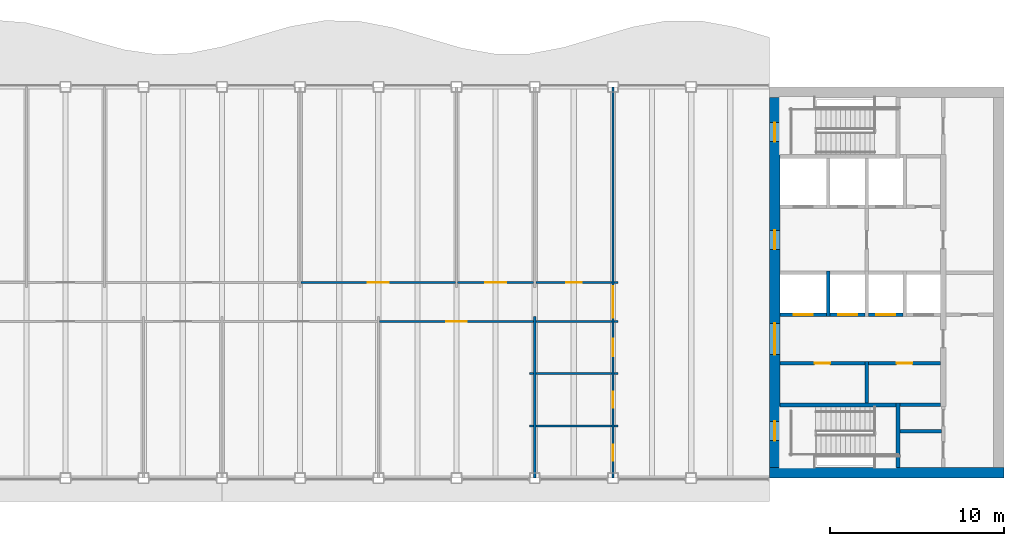
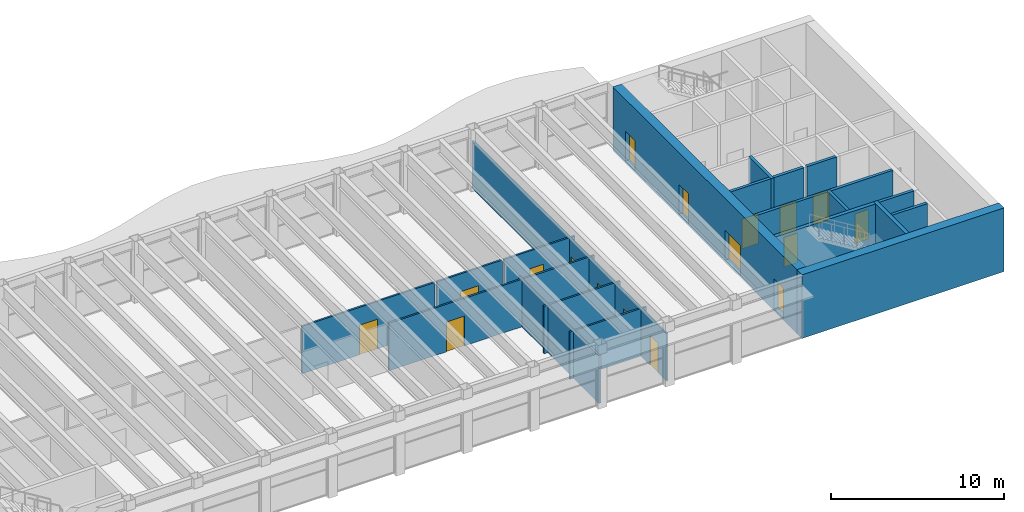
# One storey, part 9 of 14: 28 walls, 17 doors, 17 openings.
"""IFC4 building model written with IfcOpenShell, lengths in metres."""

from ifc_helpers import new_model, si_unit, direction, frame, frame_2d, origin, place, context, subcontext, project, spatial, rectangle, extrude, material, layer, layer_set, type_object, element, fill, save


model = new_model("IFC4")

# Units and contexts
model_context = context("Model", 3, precision=1e-05, world=origin(), true_north=direction((0.0, 1.0)))
body_context = subcontext(model_context, "Body", "Model", "MODEL_VIEW")
ifc_project = project(units=[si_unit("LENGTHUNIT", "METRE"), si_unit("AREAUNIT", "SQUARE_METRE"), si_unit("VOLUMEUNIT", "CUBIC_METRE"), si_unit("PLANEANGLEUNIT", "RADIAN"), si_unit("MASSUNIT", "GRAM", prefix="KILO")], contexts=[model_context])

# Site, building, storey
site_placement = place(None, origin())
site = spatial("IfcSite", under=ifc_project, at=site_placement, CompositionType="ELEMENT")
building_placement = place(site_placement, origin())
building = spatial("IfcBuilding", under=site, at=building_placement, Name="Sennacour Bend Tower", CompositionType="ELEMENT")
storey_placement = place(building_placement, frame((0.0, 0.0, 305.0)))
storey = spatial("IfcBuildingStorey", under=building, at=storey_placement, Name="L70", CompositionType="ELEMENT", Elevation=305.0)

# Wall
ifc_material_1 = material(Name="Concrete C50/60", Category="concrete")
ifc_layer_1 = layer(ifc_material_1, 0.60009765625, Name="Concrete C50/60", Category="concrete")
ifc_layer_set_1 = layer_set([ifc_layer_1], Name="Concrete C50/60")
wall_type_1 = type_object("IfcWallType", Name="Core wall 600 C50/60", PredefinedType="SHEAR", material=ifc_layer_set_1)
wall_1_placement = place(storey_placement, frame((67.5, 0.300048828125, -0.14990234375), z_axis=(0.0, 0.0, 1.0), x_axis=(-1.0, 0.0, 0.0)))
element("IfcWall", 1, at=wall_1_placement, inside=storey, type_object=wall_type_1, Name="Core A wall L70 S", PredefinedType="SHEAR", context=body_context, shape_type="SweptSolid", body=[
    extrude(rectangle(XDim=13.5, YDim=0.60009765625, at=frame_2d((6.75, 0.0))), origin(), (0.0, 0.0, 1.0), 4.5),
])

# Wall, openings, doors
wall_2_placement = place(storey_placement, frame((54.300048828125, 0.60009765625, -0.14990234375), z_axis=(0.0, 0.0, 1.0), x_axis=(0.0, 1.0, 0.0)))
wall_2 = element("IfcWall", 2, at=wall_2_placement, inside=storey, type_object=wall_type_1, Name="Core A wall L70 W", PredefinedType="SHEAR", context=body_context, shape_type="SweptSolid", body=[
    extrude(rectangle(XDim=21.2998046875, YDim=0.60009765625, at=frame_2d((10.64990234375, 0.0))), origin(), (0.0, 0.0, 1.0), 4.5),
])
opening_1_placement = place(wall_2_placement, frame((6.5, 0.0, 0.14990234375)))
opening_1 = element("IfcOpeningElement", 3, at=opening_1_placement, cuts=wall_2, Name="Opening CD", PredefinedType="OPENING", context=body_context, shape_type="SweptSolid", body=[
    extrude(rectangle(XDim=1.800048828125, YDim=2.10009765625, at=frame_2d((0.89990234375, 1.050048828125))), frame((0.0, 0.31005859375, 0.0), z_axis=(0.0, -1.0, 0.0), x_axis=(1.0, 0.0, 0.0)), (0.0, 0.0, 1.0), 0.6201171875),
])
opening_2_placement = place(wall_2_placement, frame((12.550048828125, 0.0, 0.14990234375)))
opening_2 = element("IfcOpeningElement", 4, at=opening_2_placement, cuts=wall_2, Name="Opening FD", PredefinedType="OPENING", context=body_context, shape_type="SweptSolid", body=[
    extrude(rectangle(XDim=1.10009765625, YDim=2.10009765625, at=frame_2d((0.550048828125, 1.050048828125))), frame((0.0, 0.31005859375, 0.0), z_axis=(0.0, -1.0, 0.0), x_axis=(1.0, 0.0, 0.0)), (0.0, 0.0, 1.0), 0.6201171875),
])
opening_3_placement = place(wall_2_placement, frame((1.550048828125, 0.0, 0.14990234375)))
opening_3 = element("IfcOpeningElement", 5, at=opening_3_placement, cuts=wall_2, Name="Opening SD", PredefinedType="OPENING", context=body_context, shape_type="SweptSolid", body=[
    extrude(rectangle(XDim=1.10009765625, YDim=2.10009765625, at=frame_2d((0.550048828125, 1.050048828125))), frame((0.0, 0.31005859375, 0.0), z_axis=(0.0, -1.0, 0.0), x_axis=(1.0, 0.0, 0.0)), (0.0, 0.0, 1.0), 0.6201171875),
])
opening_4_placement = place(wall_2_placement, frame((18.75, 0.0, 0.14990234375)))
opening_4 = element("IfcOpeningElement", 6, at=opening_4_placement, cuts=wall_2, Name="Opening SD", PredefinedType="OPENING", context=body_context, shape_type="SweptSolid", body=[
    extrude(rectangle(XDim=1.10009765625, YDim=2.10009765625, at=frame_2d((0.550048828125, 1.050048828125))), frame((0.0, 0.31005859375, 0.0), z_axis=(0.0, -1.0, 0.0), x_axis=(1.0, 0.0, 0.0)), (0.0, 0.0, 1.0), 0.6201171875),
])
ifc_material_2 = material(Name="Painted steel", Category="steel")
door_type_1 = type_object("IfcDoorType", Name="DR-FFL-1100", OperationType="NOTDEFINED", PredefinedType="DOOR", material=ifc_material_2)
door_1_placement = place(opening_2_placement, origin())
door_1 = element("IfcDoor", 7, at=door_1_placement, inside=storey, type_object=door_type_1, Name="Door", OperationType="SINGLE_SWING_RIGHT", OverallHeight=2.10009765625, OverallWidth=1.10009765625, PredefinedType="DOOR", context=body_context, shape_type="SweptSolid", body=[
    extrude(rectangle(XDim=1.10009765625, YDim=2.10009765625, at=frame_2d((0.550048828125, 1.050048828125))), frame((0.0, 0.02490234375, 0.0), z_axis=(0.0, -1.0, 0.0), x_axis=(1.0, 0.0, 0.0)), (0.0, 0.0, 1.0), 0.050048828125),
])
fill(opening_2, door_1)
door_type_2 = type_object("IfcDoorType", Name="DR-LOBBY-1800", OperationType="NOTDEFINED", PredefinedType="DOOR", material=ifc_material_2)
door_2_placement = place(opening_1_placement, origin())
door_2 = element("IfcDoor", 8, at=door_2_placement, inside=storey, type_object=door_type_2, Name="Door", OperationType="DOUBLE_DOOR_SINGLE_SWING", OverallHeight=2.10009765625, OverallWidth=1.800048828125, PredefinedType="DOOR", context=body_context, shape_type="SweptSolid", body=[
    extrude(rectangle(XDim=1.800048828125, YDim=2.10009765625, at=frame_2d((0.89990234375, 1.050048828125))), frame((0.0, 0.02490234375, 0.0), z_axis=(0.0, -1.0, 0.0), x_axis=(1.0, 0.0, 0.0)), (0.0, 0.0, 1.0), 0.050048828125),
])
fill(opening_1, door_2)
door_type_3 = type_object("IfcDoorType", Name="DR-STAIR-1100", OperationType="NOTDEFINED", PredefinedType="DOOR", material=ifc_material_2)
door_3_placement = place(opening_3_placement, origin())
door_3 = element("IfcDoor", 9, at=door_3_placement, inside=storey, type_object=door_type_3, Name="Door", OperationType="SINGLE_SWING_LEFT", OverallHeight=2.10009765625, OverallWidth=1.10009765625, PredefinedType="DOOR", context=body_context, shape_type="SweptSolid", body=[
    extrude(rectangle(XDim=1.10009765625, YDim=2.10009765625, at=frame_2d((0.550048828125, 1.050048828125))), frame((0.0, 0.02490234375, 0.0), z_axis=(0.0, -1.0, 0.0), x_axis=(1.0, 0.0, 0.0)), (0.0, 0.0, 1.0), 0.050048828125),
])
fill(opening_3, door_3)
door_4_placement = place(opening_4_placement, origin())
door_4 = element("IfcDoor", 10, at=door_4_placement, inside=storey, type_object=door_type_3, Name="Door", OperationType="SINGLE_SWING_RIGHT", OverallHeight=2.10009765625, OverallWidth=1.10009765625, PredefinedType="DOOR", context=body_context, shape_type="SweptSolid", body=[
    extrude(rectangle(XDim=1.10009765625, YDim=2.10009765625, at=frame_2d((0.550048828125, 1.050048828125))), frame((0.0, 0.02490234375, 0.0), z_axis=(0.0, -1.0, 0.0), x_axis=(1.0, 0.0, 0.0)), (0.0, 0.0, 1.0), 0.050048828125),
])
fill(opening_4, door_4)

# Walls
ifc_material_3 = material(Name="Plasterboard partition on steel studs", Category="steel")
ifc_layer_2 = layer(ifc_material_3, 0.1201171875, Name="Plasterboard partition on steel studs", Category="steel")
ifc_layer_set_2 = layer_set([ifc_layer_2], Name="Plasterboard partition on steel studs")
wall_type_2 = type_object("IfcWallType", Name="Partition 120", PredefinedType="PARTITIONING", material=ifc_layer_set_2)
wall_3_placement = place(storey_placement, frame((40.5, 0.010009765625, 0.0), z_axis=(0.0, 0.0, 1.0), x_axis=(0.0, 1.0, 0.0)))
element("IfcWall", 11, at=wall_3_placement, inside=storey, type_object=wall_type_2, Name="P-L70-W013a", PredefinedType="PARTITIONING", context=body_context, shape_type="SweptSolid", body=[
    extrude(rectangle(XDim=9.2900390625, YDim=0.1201171875, at=frame_2d((4.64501953125, 0.0))), origin(), (0.0, 0.0, 1.0), 3.35888671875),
])
wall_4_placement = place(storey_placement, frame((40.199951171875, 3.0, 0.0), z_axis=(0.0, 0.0, 1.0), x_axis=(1.0, 0.0, 0.0)))
element("IfcWall", 12, at=wall_4_placement, inside=storey, type_object=wall_type_2, Name="P-L70-W032aa", PredefinedType="PARTITIONING", context=body_context, shape_type="SweptSolid", body=[
    extrude(rectangle(XDim=0.239990234375, YDim=0.1201171875, at=frame_2d((0.1201171875, 0.0))), origin(), (0.0, 0.0, 1.0), 3.35888671875),
])
wall_5_placement = place(storey_placement, frame((40.56005859375, 3.0, 0.0), z_axis=(0.0, 0.0, 1.0), x_axis=(1.0, 0.0, 0.0)))
element("IfcWall", 13, at=wall_5_placement, inside=storey, type_object=wall_type_2, Name="P-L70-W032ab", PredefinedType="PARTITIONING", context=body_context, shape_type="SweptSolid", body=[
    extrude(rectangle(XDim=4.3798828125, YDim=0.1201171875, at=frame_2d((2.18994140625, 0.0))), origin(), (0.0, 0.0, 1.0), 3.35888671875),
])
for number, where, z_axis, x_axis, name in (
    (14, (45.06005859375, 3.0, 0.0), (0.0, 0.0, 1.0), (1.0, 0.0, 0.0), "P-L70-W032ac"),
    (15, (40.199951171875, 6.0, 0.0), (0.0, 0.0, 1.0), (1.0, 0.0, 0.0), "P-L70-W037aa"),
):
    element("IfcWall", number, at=place(storey_placement, frame(where, z_axis=z_axis, x_axis=x_axis)), inside=storey, type_object=wall_type_2, Name=name, PredefinedType="PARTITIONING", context=body_context, shape_type="SweptSolid", body=[
        extrude(rectangle(XDim=0.239990234375, YDim=0.1201171875, at=frame_2d((0.1201171875, 0.0))), origin(), (0.0, 0.0, 1.0), 3.35888671875),
    ])
wall_6_placement = place(storey_placement, frame((40.56005859375, 6.0, 0.0), z_axis=(0.0, 0.0, 1.0), x_axis=(1.0, 0.0, 0.0)))
element("IfcWall", 16, at=wall_6_placement, inside=storey, type_object=wall_type_2, Name="P-L70-W037ab", PredefinedType="PARTITIONING", context=body_context, shape_type="SweptSolid", body=[
    extrude(rectangle(XDim=4.3798828125, YDim=0.1201171875, at=frame_2d((2.18994140625, 0.0))), origin(), (0.0, 0.0, 1.0), 3.35888671875),
])
wall_7_placement = place(storey_placement, frame((45.06005859375, 6.0, 0.0), z_axis=(0.0, 0.0, 1.0), x_axis=(1.0, 0.0, 0.0)))
element("IfcWall", 17, at=wall_7_placement, inside=storey, type_object=wall_type_2, Name="P-L70-W037ac", PredefinedType="PARTITIONING", context=body_context, shape_type="SweptSolid", body=[
    extrude(rectangle(XDim=0.239990234375, YDim=0.1201171875, at=frame_2d((0.1201171875, 0.0))), origin(), (0.0, 0.0, 1.0), 3.35888671875),
])

# Wall, opening, door
wall_8_placement = place(storey_placement, frame((31.56005859375, 9.0, 0.0), z_axis=(0.0, 0.0, 1.0), x_axis=(1.0, 0.0, 0.0)))
wall_8 = element("IfcWall", 18, at=wall_8_placement, inside=storey, type_object=wall_type_2, Name="P-L70-W039ae", PredefinedType="PARTITIONING", context=body_context, shape_type="SweptSolid", body=[
    extrude(rectangle(XDim=8.8798828125, YDim=0.1201171875, at=frame_2d((4.43994140625, 0.0))), origin(), (0.0, 0.0, 1.0), 3.35888671875),
])
opening_5_placement = place(wall_8_placement, frame((3.83984375, 0.0, 0.0)))
opening_5 = element("IfcOpeningElement", 19, at=opening_5_placement, cuts=wall_8, Name="Opening MD", PredefinedType="OPENING", context=body_context, shape_type="SweptSolid", body=[
    extrude(rectangle(XDim=1.199951171875, YDim=2.10009765625, at=frame_2d((0.60009765625, 1.050048828125))), frame((0.0, 0.070068359375, 0.0), z_axis=(0.0, -1.0, 0.0), x_axis=(1.0, 0.0, 0.0)), (0.0, 0.0, 1.0), 0.14013671875),
])
ifc_material_4 = material(Name="Timber", Category="wood")
door_type_4 = type_object("IfcDoorType", Name="DR-MEETING-1200", OperationType="NOTDEFINED", PredefinedType="DOOR", material=ifc_material_4)
door_5_placement = place(opening_5_placement, origin())
door_5 = element("IfcDoor", 20, at=door_5_placement, inside=storey, type_object=door_type_4, Name="Door", OperationType="SINGLE_SWING_LEFT", OverallHeight=2.10009765625, OverallWidth=1.199951171875, PredefinedType="DOOR", context=body_context, shape_type="SweptSolid", body=[
    extrude(rectangle(XDim=1.199951171875, YDim=2.10009765625, at=frame_2d((0.60009765625, 1.050048828125))), frame((0.0, 0.02490234375, 0.0), z_axis=(0.0, -1.0, 0.0), x_axis=(1.0, 0.0, 0.0)), (0.0, 0.0, 1.0), 0.050048828125),
])
fill(opening_5, door_5)

# Walls
wall_9_placement = place(storey_placement, frame((40.56005859375, 9.0, 0.0), z_axis=(0.0, 0.0, 1.0), x_axis=(1.0, 0.0, 0.0)))
element("IfcWall", 21, at=wall_9_placement, inside=storey, type_object=wall_type_2, Name="P-L70-W039af", PredefinedType="PARTITIONING", context=body_context, shape_type="SweptSolid", body=[
    extrude(rectangle(XDim=4.3798828125, YDim=0.1201171875, at=frame_2d((2.18994140625, 0.0))), origin(), (0.0, 0.0, 1.0), 3.35888671875),
])
wall_10_placement = place(storey_placement, frame((45.06005859375, 9.0, 0.0), z_axis=(0.0, 0.0, 1.0), x_axis=(1.0, 0.0, 0.0)))
element("IfcWall", 22, at=wall_10_placement, inside=storey, type_object=wall_type_2, Name="P-L70-W039ag", PredefinedType="PARTITIONING", context=body_context, shape_type="SweptSolid", body=[
    extrude(rectangle(XDim=0.239990234375, YDim=0.1201171875, at=frame_2d((0.1201171875, 0.0))), origin(), (0.0, 0.0, 1.0), 3.35888671875),
])

# Wall, opening, door
wall_11_placement = place(storey_placement, frame((27.06005859375, 11.25, 0.0), z_axis=(0.0, 0.0, 1.0), x_axis=(1.0, 0.0, 0.0)))
wall_11 = element("IfcWall", 23, at=wall_11_placement, inside=storey, type_object=wall_type_2, Name="P-L70-W042ad", PredefinedType="PARTITIONING", context=body_context, shape_type="SweptSolid", body=[
    extrude(rectangle(XDim=8.8798828125, YDim=0.1201171875, at=frame_2d((4.43994140625, 0.0))), origin(), (0.0, 0.0, 1.0), 3.35888671875),
])
opening_6_placement = place(wall_11_placement, frame((3.83984375, 0.0, 0.0)))
opening_6 = element("IfcOpeningElement", 24, at=opening_6_placement, cuts=wall_11, Name="Opening MD", PredefinedType="OPENING", context=body_context, shape_type="SweptSolid", body=[
    extrude(rectangle(XDim=1.199951171875, YDim=2.10009765625, at=frame_2d((0.60009765625, 1.050048828125))), frame((0.0, 0.070068359375, 0.0), z_axis=(0.0, -1.0, 0.0), x_axis=(1.0, 0.0, 0.0)), (0.0, 0.0, 1.0), 0.14013671875),
])
door_6_placement = place(opening_6_placement, origin())
door_6 = element("IfcDoor", 25, at=door_6_placement, inside=storey, type_object=door_type_4, Name="Door", OperationType="SINGLE_SWING_LEFT", OverallHeight=2.10009765625, OverallWidth=1.199951171875, PredefinedType="DOOR", context=body_context, shape_type="SweptSolid", body=[
    extrude(rectangle(XDim=1.199951171875, YDim=2.10009765625, at=frame_2d((0.60009765625, 1.050048828125))), frame((0.0, 0.02490234375, 0.0), z_axis=(0.0, -1.0, 0.0), x_axis=(1.0, 0.0, 0.0)), (0.0, 0.0, 1.0), 0.050048828125),
])
fill(opening_6, door_6)

# Wall
wall_12_placement = place(storey_placement, frame((45.06005859375, 11.25, 0.0), z_axis=(0.0, 0.0, 1.0), x_axis=(1.0, 0.0, 0.0)))
element("IfcWall", 26, at=wall_12_placement, inside=storey, type_object=wall_type_2, Name="P-L70-W042ag", PredefinedType="PARTITIONING", context=body_context, shape_type="SweptSolid", body=[
    extrude(rectangle(XDim=0.239990234375, YDim=0.1201171875, at=frame_2d((0.1201171875, 0.0))), origin(), (0.0, 0.0, 1.0), 3.35888671875),
])

# Wall, openings, doors
ifc_layer_3 = layer(ifc_material_3, 0.1201171875, Name="Plasterboard partition on steel studs", Category="steel")
ifc_layer_set_3 = layer_set([ifc_layer_3], Name="Plasterboard partition on steel studs")
wall_type_3 = type_object("IfcWallType", Name="Partition 120 EI 30", PredefinedType="PARTITIONING", material=ifc_layer_set_3)
wall_13_placement = place(storey_placement, frame((45.0, 0.010009765625, 0.0), z_axis=(0.0, 0.0, 1.0), x_axis=(0.0, 1.0, 0.0)))
wall_13 = element("IfcWall", 27, at=wall_13_placement, inside=storey, type_object=wall_type_3, Name="P-L70-W015a", PredefinedType="PARTITIONING", context=body_context, shape_type="SweptSolid", body=[
    extrude(rectangle(XDim=22.47998046875, YDim=0.1201171875, at=frame_2d((11.239990234375, 0.0))), origin(), (0.0, 0.0, 1.0), 3.35888671875),
])
opening_7_placement = place(wall_13_placement, frame((9.215087890625, 0.0, 0.0)))
opening_7 = element("IfcOpeningElement", 28, at=opening_7_placement, cuts=wall_13, Name="Opening KD3", PredefinedType="OPENING", context=body_context, shape_type="SweptSolid", body=[
    extrude(rectangle(XDim=1.800048828125, YDim=2.10009765625, at=frame_2d((0.89990234375, 1.050048828125))), frame((0.0, 0.070068359375, 0.0), z_axis=(0.0, -1.0, 0.0), x_axis=(1.0, 0.0, 0.0)), (0.0, 0.0, 1.0), 0.14013671875),
])
opening_8_placement = place(wall_13_placement, frame((0.989990234375, 0.0, 0.0)))
opening_8 = element("IfcOpeningElement", 29, at=opening_8_placement, cuts=wall_13, Name="Opening WD", PredefinedType="OPENING", context=body_context, shape_type="SweptSolid", body=[
    extrude(rectangle(XDim=0.89990234375, YDim=2.10009765625, at=frame_2d((0.449951171875, 1.050048828125))), frame((0.0, 0.070068359375, 0.0), z_axis=(0.0, -1.0, 0.0), x_axis=(1.0, 0.0, 0.0)), (0.0, 0.0, 1.0), 0.14013671875),
])
opening_9_placement = place(wall_13_placement, frame((4.0400390625, 0.0, 0.0)))
opening_9 = element("IfcOpeningElement", 30, at=opening_9_placement, cuts=wall_13, Name="Opening WD", PredefinedType="OPENING", context=body_context, shape_type="SweptSolid", body=[
    extrude(rectangle(XDim=0.89990234375, YDim=2.10009765625, at=frame_2d((0.449951171875, 1.050048828125))), frame((0.0, 0.070068359375, 0.0), z_axis=(0.0, -1.0, 0.0), x_axis=(1.0, 0.0, 0.0)), (0.0, 0.0, 1.0), 0.14013671875),
])
opening_10_placement = place(wall_13_placement, frame((6.989990234375, 0.0, 0.0)))
opening_10 = element("IfcOpeningElement", 31, at=opening_10_placement, cuts=wall_13, Name="Opening AD", PredefinedType="OPENING", context=body_context, shape_type="SweptSolid", body=[
    extrude(rectangle(XDim=1.0, YDim=2.10009765625, at=frame_2d((0.5, 1.050048828125))), frame((0.0, 0.070068359375, 0.0), z_axis=(0.0, -1.0, 0.0), x_axis=(1.0, 0.0, 0.0)), (0.0, 0.0, 1.0), 0.14013671875),
])
door_type_5 = type_object("IfcDoorType", Name="DR-ACC-WC-1000", OperationType="NOTDEFINED", PredefinedType="DOOR", material=ifc_material_4)
door_7_placement = place(opening_10_placement, origin())
door_7 = element("IfcDoor", 32, at=door_7_placement, inside=storey, type_object=door_type_5, Name="Door", OperationType="SINGLE_SWING_LEFT", OverallHeight=2.10009765625, OverallWidth=1.0, PredefinedType="DOOR", context=body_context, shape_type="SweptSolid", body=[
    extrude(rectangle(XDim=1.0, YDim=2.10009765625, at=frame_2d((0.5, 1.050048828125))), frame((0.0, 0.02490234375, 0.0), z_axis=(0.0, -1.0, 0.0), x_axis=(1.0, 0.0, 0.0)), (0.0, 0.0, 1.0), 0.050048828125),
])
fill(opening_10, door_7)
door_type_6 = type_object("IfcDoorType", Name="DR-CORRIDOR-1800", OperationType="NOTDEFINED", PredefinedType="DOOR", material=ifc_material_2)
door_8_placement = place(opening_7_placement, origin())
door_8 = element("IfcDoor", 33, at=door_8_placement, inside=storey, type_object=door_type_6, Name="Door", OperationType="DOUBLE_DOOR_SINGLE_SWING", OverallHeight=2.10009765625, OverallWidth=1.800048828125, PredefinedType="DOOR", context=body_context, shape_type="SweptSolid", body=[
    extrude(rectangle(XDim=1.800048828125, YDim=2.10009765625, at=frame_2d((0.89990234375, 1.050048828125))), frame((0.0, 0.02490234375, 0.0), z_axis=(0.0, -1.0, 0.0), x_axis=(1.0, 0.0, 0.0)), (0.0, 0.0, 1.0), 0.050048828125),
])
fill(opening_7, door_8)
door_type_7 = type_object("IfcDoorType", Name="DR-WC-900", OperationType="NOTDEFINED", PredefinedType="DOOR", material=ifc_material_4)
door_9_placement = place(opening_8_placement, origin())
door_9 = element("IfcDoor", 34, at=door_9_placement, inside=storey, type_object=door_type_7, Name="Door", OperationType="SINGLE_SWING_LEFT", OverallHeight=2.10009765625, OverallWidth=0.89990234375, PredefinedType="DOOR", context=body_context, shape_type="SweptSolid", body=[
    extrude(rectangle(XDim=0.89990234375, YDim=2.10009765625, at=frame_2d((0.449951171875, 1.050048828125))), frame((0.0, 0.02490234375, 0.0), z_axis=(0.0, -1.0, 0.0), x_axis=(1.0, 0.0, 0.0)), (0.0, 0.0, 1.0), 0.050048828125),
])
fill(opening_8, door_9)
door_10_placement = place(opening_9_placement, origin())
door_10 = element("IfcDoor", 35, at=door_10_placement, inside=storey, type_object=door_type_7, Name="Door", OperationType="SINGLE_SWING_LEFT", OverallHeight=2.10009765625, OverallWidth=0.89990234375, PredefinedType="DOOR", context=body_context, shape_type="SweptSolid", body=[
    extrude(rectangle(XDim=0.89990234375, YDim=2.10009765625, at=frame_2d((0.449951171875, 1.050048828125))), frame((0.0, 0.02490234375, 0.0), z_axis=(0.0, -1.0, 0.0), x_axis=(1.0, 0.0, 0.0)), (0.0, 0.0, 1.0), 0.050048828125),
])
fill(opening_9, door_10)

# Wall, opening, door
ifc_layer_4 = layer(ifc_material_3, 0.1201171875, Name="Plasterboard partition on steel studs", Category="steel")
ifc_layer_set_4 = layer_set([ifc_layer_4], Name="Plasterboard partition on steel studs")
wall_type_4 = type_object("IfcWallType", Name="Partition 120 EI 60", PredefinedType="PARTITIONING", material=ifc_layer_set_4)
wall_14_placement = place(storey_placement, frame((36.06005859375, 11.25, 0.0), z_axis=(0.0, 0.0, 1.0), x_axis=(1.0, 0.0, 0.0)))
wall_14 = element("IfcWall", 36, at=wall_14_placement, inside=storey, type_object=wall_type_4, Name="P-L70-W042ae", PredefinedType="PARTITIONING", context=body_context, shape_type="SweptSolid", body=[
    extrude(rectangle(XDim=4.3798828125, YDim=0.1201171875, at=frame_2d((2.18994140625, 0.0))), origin(), (0.0, 0.0, 1.0), 3.35888671875),
])
opening_11_placement = place(wall_14_placement, frame((1.58984375, 0.0, 0.0)))
opening_11 = element("IfcOpeningElement", 37, at=opening_11_placement, cuts=wall_14, Name="Opening SV5", PredefinedType="OPENING", context=body_context, shape_type="SweptSolid", body=[
    extrude(rectangle(XDim=1.199951171875, YDim=2.10009765625, at=frame_2d((0.60009765625, 1.050048828125))), frame((0.0, 0.070068359375, 0.0), z_axis=(0.0, -1.0, 0.0), x_axis=(1.0, 0.0, 0.0)), (0.0, 0.0, 1.0), 0.14013671875),
])
door_type_8 = type_object("IfcDoorType", Name="DR-SERVICE-1200", OperationType="NOTDEFINED", PredefinedType="DOOR", material=ifc_material_2)
door_11_placement = place(opening_11_placement, origin())
door_11 = element("IfcDoor", 38, at=door_11_placement, inside=storey, type_object=door_type_8, Name="Door", OperationType="SINGLE_SWING_LEFT", OverallHeight=2.10009765625, OverallWidth=1.199951171875, PredefinedType="DOOR", context=body_context, shape_type="SweptSolid", body=[
    extrude(rectangle(XDim=1.199951171875, YDim=2.10009765625, at=frame_2d((0.60009765625, 1.050048828125))), frame((0.0, 0.02490234375, 0.0), z_axis=(0.0, -1.0, 0.0), x_axis=(1.0, 0.0, 0.0)), (0.0, 0.0, 1.0), 0.050048828125),
])
fill(opening_11, door_11)

wall_15_placement = place(storey_placement, frame((40.56005859375, 11.25, 0.0), z_axis=(0.0, 0.0, 1.0), x_axis=(1.0, 0.0, 0.0)))
wall_15 = element("IfcWall", 39, at=wall_15_placement, inside=storey, type_object=wall_type_4, Name="P-L70-W042af", PredefinedType="PARTITIONING", context=body_context, shape_type="SweptSolid", body=[
    extrude(rectangle(XDim=4.3798828125, YDim=0.1201171875, at=frame_2d((2.18994140625, 0.0))), origin(), (0.0, 0.0, 1.0), 3.35888671875),
])
opening_12_placement = place(wall_15_placement, frame((1.739990234375, 0.0, 0.0)))
opening_12 = element("IfcOpeningElement", 40, at=opening_12_placement, cuts=wall_15, Name="Opening SV", PredefinedType="OPENING", context=body_context, shape_type="SweptSolid", body=[
    extrude(rectangle(XDim=0.89990234375, YDim=2.10009765625, at=frame_2d((0.449951171875, 1.050048828125))), frame((0.0, 0.070068359375, 0.0), z_axis=(0.0, -1.0, 0.0), x_axis=(1.0, 0.0, 0.0)), (0.0, 0.0, 1.0), 0.14013671875),
])
door_type_9 = type_object("IfcDoorType", Name="DR-SERVICE-900", OperationType="NOTDEFINED", PredefinedType="DOOR", material=ifc_material_2)
door_12_placement = place(opening_12_placement, origin())
door_12 = element("IfcDoor", 41, at=door_12_placement, inside=storey, type_object=door_type_9, Name="Door", OperationType="SINGLE_SWING_LEFT", OverallHeight=2.10009765625, OverallWidth=0.89990234375, PredefinedType="DOOR", context=body_context, shape_type="SweptSolid", body=[
    extrude(rectangle(XDim=0.89990234375, YDim=2.10009765625, at=frame_2d((0.449951171875, 1.050048828125))), frame((0.0, 0.02490234375, 0.0), z_axis=(0.0, -1.0, 0.0), x_axis=(1.0, 0.0, 0.0)), (0.0, 0.0, 1.0), 0.050048828125),
])
fill(opening_12, door_12)

# Walls
ifc_material_5 = material(Name="Fire-rated plasterboard partition on steel studs", Category="steel")
ifc_layer_5 = layer(ifc_material_5, 0.199951171875, Name="Fire-rated plasterboard partition on steel studs", Category="steel")
ifc_layer_set_5 = layer_set([ifc_layer_5], Name="Fire-rated plasterboard partition on steel studs")
wall_type_5 = type_object("IfcWallType", Name="Rated partition 200", PredefinedType="PARTITIONING", material=ifc_layer_set_5)
for number, where, z_axis, x_axis, name in (
    (42, (59.60009765625, 4.324951171875, 0.0), (0.0, 0.0, 1.0), (0.0, 1.0, 0.0), "P-L70-W018"),
    (43, (61.52490234375, 2.699951171875, 0.0), (0.0, 0.0, 1.0), (1.0, 0.0, 0.0), "P-L70-W031"),
):
    element("IfcWall", number, at=place(storey_placement, frame(where, z_axis=z_axis, x_axis=x_axis)), inside=storey, type_object=wall_type_5, Name=name, PredefinedType="PARTITIONING", context=body_context, shape_type="SweptSolid", body=[
        extrude(rectangle(XDim=2.375, YDim=0.199951171875, at=frame_2d((1.1875, 0.0))), origin(), (0.0, 0.0, 1.0), 4.35009765625),
    ])
wall_16_placement = place(storey_placement, frame((61.52490234375, 4.199951171875, 0.0), z_axis=(0.0, 0.0, 1.0), x_axis=(1.0, 0.0, 0.0)))
element("IfcWall", 44, at=wall_16_placement, inside=storey, type_object=wall_type_5, Name="P-L70-W036", PredefinedType="PARTITIONING", context=body_context, shape_type="SweptSolid", body=[
    extrude(rectangle(XDim=2.3251953125, YDim=0.199951171875, at=frame_2d((1.16259765625, 0.0))), origin(), (0.0, 0.0, 1.0), 4.35009765625),
])

# Wall, opening, door
wall_17_placement = place(storey_placement, frame((54.60009765625, 6.60009765625, 0.0), z_axis=(0.0, 0.0, 1.0), x_axis=(1.0, 0.0, 0.0)))
wall_17 = element("IfcWall", 45, at=wall_17_placement, inside=storey, type_object=wall_type_5, Name="P-L70-W038a", PredefinedType="PARTITIONING", context=body_context, shape_type="SweptSolid", body=[
    extrude(rectangle(XDim=4.89990234375, YDim=0.199951171875, at=frame_2d((2.449951171875, 0.0))), origin(), (0.0, 0.0, 1.0), 4.35009765625),
])
opening_13_placement = place(wall_17_placement, frame((2.0, 0.0, 0.0)))
opening_13 = element("IfcOpeningElement", 46, at=opening_13_placement, cuts=wall_17, Name="Opening SV", PredefinedType="OPENING", context=body_context, shape_type="SweptSolid", body=[
    extrude(rectangle(XDim=0.89990234375, YDim=2.10009765625, at=frame_2d((0.449951171875, 1.050048828125))), frame((0.0, 0.10986328125, 0.0), z_axis=(0.0, -1.0, 0.0), x_axis=(1.0, 0.0, 0.0)), (0.0, 0.0, 1.0), 0.219970703125),
])
door_13_placement = place(opening_13_placement, origin())
door_13 = element("IfcDoor", 47, at=door_13_placement, inside=storey, type_object=door_type_9, Name="Door", OperationType="SINGLE_SWING_LEFT", OverallHeight=2.10009765625, OverallWidth=0.89990234375, PredefinedType="DOOR", context=body_context, shape_type="SweptSolid", body=[
    extrude(rectangle(XDim=0.89990234375, YDim=2.10009765625, at=frame_2d((0.449951171875, 1.050048828125))), frame((0.0, 0.02490234375, 0.0), z_axis=(0.0, -1.0, 0.0), x_axis=(1.0, 0.0, 0.0)), (0.0, 0.0, 1.0), 0.050048828125),
])
fill(opening_13, door_13)

wall_18_placement = place(storey_placement, frame((59.699951171875, 6.60009765625, 0.0), z_axis=(0.0, 0.0, 1.0), x_axis=(1.0, 0.0, 0.0)))
wall_18 = element("IfcWall", 48, at=wall_18_placement, inside=storey, type_object=wall_type_5, Name="P-L70-W038b", PredefinedType="PARTITIONING", context=body_context, shape_type="SweptSolid", body=[
    extrude(rectangle(XDim=4.150146484375, YDim=0.199951171875, at=frame_2d((2.0751953125, 0.0))), origin(), (0.0, 0.0, 1.0), 4.35009765625),
])
opening_14_placement = place(wall_18_placement, frame((1.625, 0.0, 0.0)))
opening_14 = element("IfcOpeningElement", 49, at=opening_14_placement, cuts=wall_18, Name="Opening SV", PredefinedType="OPENING", context=body_context, shape_type="SweptSolid", body=[
    extrude(rectangle(XDim=0.89990234375, YDim=2.10009765625, at=frame_2d((0.449951171875, 1.050048828125))), frame((0.0, 0.10986328125, 0.0), z_axis=(0.0, -1.0, 0.0), x_axis=(1.0, 0.0, 0.0)), (0.0, 0.0, 1.0), 0.219970703125),
])
door_14_placement = place(opening_14_placement, origin())
door_14 = element("IfcDoor", 50, at=door_14_placement, inside=storey, type_object=door_type_9, Name="Door", OperationType="SINGLE_SWING_LEFT", OverallHeight=2.10009765625, OverallWidth=0.89990234375, PredefinedType="DOOR", context=body_context, shape_type="SweptSolid", body=[
    extrude(rectangle(XDim=0.89990234375, YDim=2.10009765625, at=frame_2d((0.449951171875, 1.050048828125))), frame((0.0, 0.02490234375, 0.0), z_axis=(0.0, -1.0, 0.0), x_axis=(1.0, 0.0, 0.0)), (0.0, 0.0, 1.0), 0.050048828125),
])
fill(opening_14, door_14)

# Wall
ifc_layer_6 = layer(ifc_material_1, 0.199951171875, Name="Concrete C50/60", Category="concrete")
ifc_layer_set_6 = layer_set([ifc_layer_6], Name="Concrete C50/60")
wall_type_6 = type_object("IfcWallType", Name="Shaft wall 200", PredefinedType="SOLIDWALL", material=ifc_layer_set_6)
wall_19_placement = place(storey_placement, frame((57.39990234375, 9.300048828125, 0.0), z_axis=(0.0, 0.0, 1.0), x_axis=(0.0, 1.0, 0.0)))
element("IfcWall", 51, at=wall_19_placement, inside=storey, type_object=wall_type_6, Name="P-L70-W016", PredefinedType="SOLIDWALL", context=body_context, shape_type="SweptSolid", body=[
    extrude(rectangle(XDim=2.599853515625, YDim=0.199951171875, at=frame_2d((1.2998046875, 0.0))), origin(), (0.0, 0.0, 1.0), 4.35009765625),
])

# Wall, opening, door
wall_20_placement = place(storey_placement, frame((54.60009765625, 9.39990234375, 0.0), z_axis=(0.0, 0.0, 1.0), x_axis=(1.0, 0.0, 0.0)))
wall_20 = element("IfcWall", 52, at=wall_20_placement, inside=storey, type_object=wall_type_6, Name="P-L70-W040a", PredefinedType="SOLIDWALL", context=body_context, shape_type="SweptSolid", body=[
    extrude(rectangle(XDim=2.699951171875, YDim=0.199951171875, at=frame_2d((1.35009765625, 0.0))), origin(), (0.0, 0.0, 1.0), 4.35009765625),
])
opening_15_placement = place(wall_20_placement, frame((0.7998046875, 0.0, 0.011962890625)))
opening_15 = element("IfcOpeningElement", 53, at=opening_15_placement, cuts=wall_20, Name="Opening LD", PredefinedType="OPENING", context=body_context, shape_type="SweptSolid", body=[
    extrude(rectangle(XDim=1.10009765625, YDim=2.10009765625, at=frame_2d((0.550048828125, 1.050048828125))), frame((0.0, 0.10986328125, 0.0), z_axis=(0.0, -1.0, 0.0), x_axis=(1.0, 0.0, 0.0)), (0.0, 0.0, 1.0), 0.219970703125),
])
ifc_material_6 = material(Name="Stainless steel", Category="steel")
door_type_10 = type_object("IfcDoorType", Name="DR-LANDING-1100", OperationType="NOTDEFINED", PredefinedType="DOOR", material=ifc_material_6)
door_15_placement = place(opening_15_placement, origin())
door_15 = element("IfcDoor", 54, at=door_15_placement, inside=storey, type_object=door_type_10, Name="Lift landing door HA1", OperationType="SLIDING_TO_LEFT", OverallHeight=2.10009765625, OverallWidth=1.10009765625, PredefinedType="DOOR", context=body_context, shape_type="SweptSolid", body=[
    extrude(rectangle(XDim=1.10009765625, YDim=2.10009765625, at=frame_2d((0.550048828125, 1.050048828125))), frame((0.0, 0.02490234375, 0.0), z_axis=(0.0, -1.0, 0.0), x_axis=(1.0, 0.0, 0.0)), (0.0, 0.0, 1.0), 0.050048828125),
])
fill(opening_15, door_15)

wall_21_placement = place(storey_placement, frame((57.5, 9.39990234375, 0.0), z_axis=(0.0, 0.0, 1.0), x_axis=(1.0, 0.0, 0.0)))
wall_21 = element("IfcWall", 55, at=wall_21_placement, inside=storey, type_object=wall_type_6, Name="P-L70-W040b", PredefinedType="SOLIDWALL", context=body_context, shape_type="SweptSolid", body=[
    extrude(rectangle(XDim=2.0, YDim=0.199951171875, at=frame_2d((1.0, 0.0))), origin(), (0.0, 0.0, 1.0), 4.35009765625),
])
opening_16_placement = place(wall_21_placement, frame((0.449951171875, 0.0, 0.011962890625)))
opening_16 = element("IfcOpeningElement", 56, at=opening_16_placement, cuts=wall_21, Name="Opening LD", PredefinedType="OPENING", context=body_context, shape_type="SweptSolid", body=[
    extrude(rectangle(XDim=1.10009765625, YDim=2.10009765625, at=frame_2d((0.550048828125, 1.050048828125))), frame((0.0, 0.10986328125, 0.0), z_axis=(0.0, -1.0, 0.0), x_axis=(1.0, 0.0, 0.0)), (0.0, 0.0, 1.0), 0.219970703125),
])
door_16_placement = place(opening_16_placement, origin())
door_16 = element("IfcDoor", 57, at=door_16_placement, inside=storey, type_object=door_type_10, Name="Lift landing door HA2", OperationType="SLIDING_TO_RIGHT", OverallHeight=2.10009765625, OverallWidth=1.10009765625, PredefinedType="DOOR", context=body_context, shape_type="SweptSolid", body=[
    extrude(rectangle(XDim=1.10009765625, YDim=2.10009765625, at=frame_2d((0.550048828125, 1.050048828125))), frame((0.0, 0.02490234375, 0.0), z_axis=(0.0, -1.0, 0.0), x_axis=(1.0, 0.0, 0.0)), (0.0, 0.0, 1.0), 0.050048828125),
])
fill(opening_16, door_16)

wall_22_placement = place(storey_placement, frame((59.699951171875, 9.39990234375, 0.0), z_axis=(0.0, 0.0, 1.0), x_axis=(1.0, 0.0, 0.0)))
wall_22 = element("IfcWall", 58, at=wall_22_placement, inside=storey, type_object=wall_type_6, Name="P-L70-W040c", PredefinedType="SOLIDWALL", context=body_context, shape_type="SweptSolid", body=[
    extrude(rectangle(XDim=2.0, YDim=0.199951171875, at=frame_2d((1.0, 0.0))), origin(), (0.0, 0.0, 1.0), 4.35009765625),
])
opening_17_placement = place(wall_22_placement, frame((0.449951171875, 0.0, 0.011962890625)))
opening_17 = element("IfcOpeningElement", 59, at=opening_17_placement, cuts=wall_22, Name="Opening LD", PredefinedType="OPENING", context=body_context, shape_type="SweptSolid", body=[
    extrude(rectangle(XDim=1.10009765625, YDim=2.10009765625, at=frame_2d((0.550048828125, 1.050048828125))), frame((0.0, 0.10986328125, 0.0), z_axis=(0.0, -1.0, 0.0), x_axis=(1.0, 0.0, 0.0)), (0.0, 0.0, 1.0), 0.219970703125),
])
door_17_placement = place(opening_17_placement, origin())
door_17 = element("IfcDoor", 60, at=door_17_placement, inside=storey, type_object=door_type_10, Name="Lift landing door HA3", OperationType="SLIDING_TO_LEFT", OverallHeight=2.10009765625, OverallWidth=1.10009765625, PredefinedType="DOOR", context=body_context, shape_type="SweptSolid", body=[
    extrude(rectangle(XDim=1.10009765625, YDim=2.10009765625, at=frame_2d((0.550048828125, 1.050048828125))), frame((0.0, 0.02490234375, 0.0), z_axis=(0.0, -1.0, 0.0), x_axis=(1.0, 0.0, 0.0)), (0.0, 0.0, 1.0), 0.050048828125),
])
fill(opening_17, door_17)

# Walls
ifc_material_7 = material(Name="Concrete C60/75", Category="concrete")
ifc_layer_7 = layer(ifc_material_7, 0.25, Name="Concrete C60/75", Category="concrete")
ifc_layer_set_7 = layer_set([ifc_layer_7], Name="Concrete C60/75")
wall_type_7 = type_object("IfcWallType", Name="Stair wall 250", PredefinedType="SHEAR", material=ifc_layer_set_7)
wall_23_placement = place(storey_placement, frame((61.39990234375, 0.60009765625, 0.0), z_axis=(0.0, 0.0, 1.0), x_axis=(0.0, 1.0, 0.0)))
element("IfcWall", 61, at=wall_23_placement, inside=storey, type_object=wall_type_7, Name="P-L70-W022", PredefinedType="SHEAR", context=body_context, shape_type="SweptSolid", body=[
    extrude(rectangle(XDim=3.724853515625, YDim=0.25, at=frame_2d((1.8623046875, 0.0))), origin(), (0.0, 0.0, 1.0), 4.35009765625),
])
wall_24_placement = place(storey_placement, frame((54.60009765625, 4.199951171875, 0.0), z_axis=(0.0, 0.0, 1.0), x_axis=(1.0, 0.0, 0.0)))
element("IfcWall", 62, at=wall_24_placement, inside=storey, type_object=wall_type_7, Name="P-L70-W035", PredefinedType="SHEAR", context=body_context, shape_type="SweptSolid", body=[
    extrude(rectangle(XDim=6.6748046875, YDim=0.25, at=frame_2d((3.33740234375, 0.0))), origin(), (0.0, 0.0, 1.0), 4.35009765625),
])

save(model, "model.ifc")
